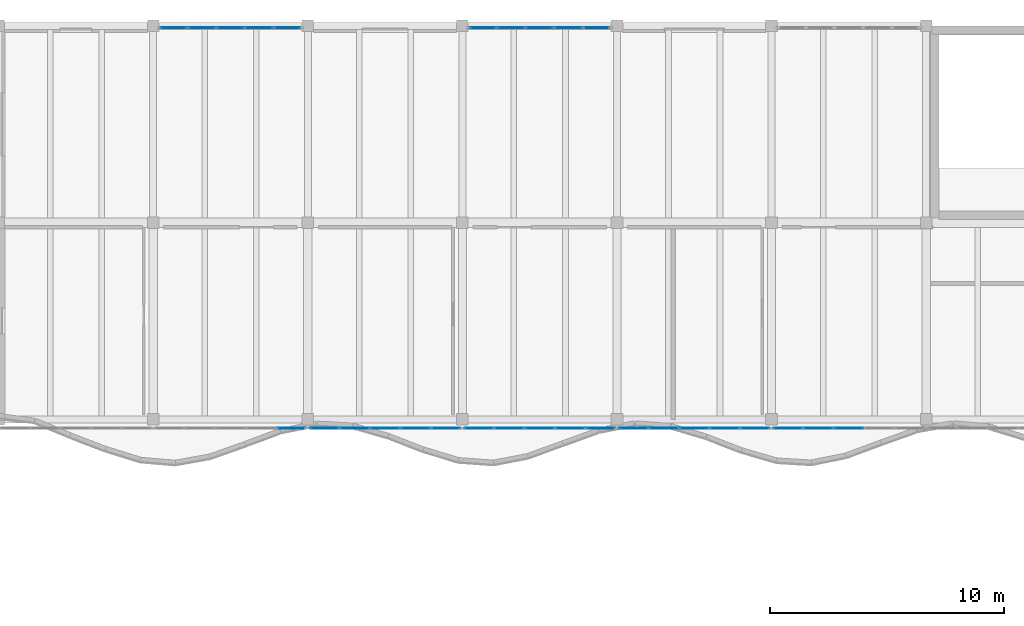
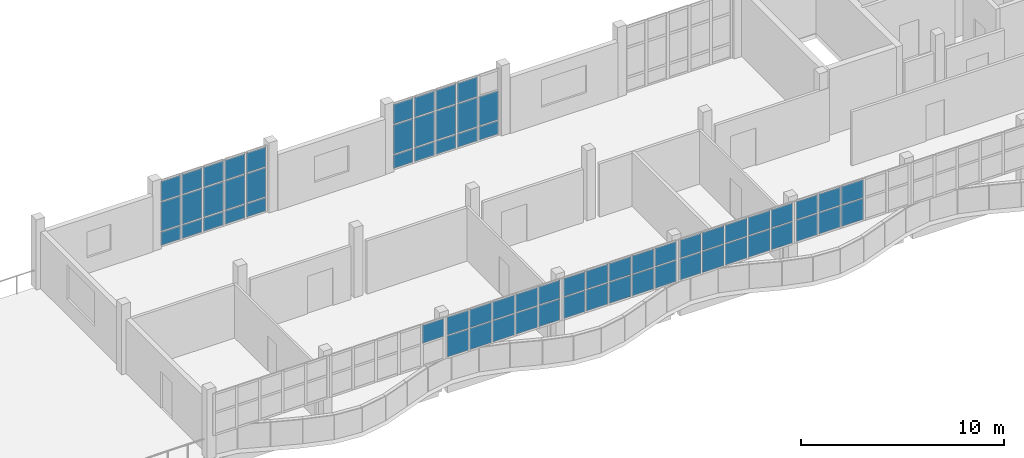
# One storey, part 28 of 47: 66 plates, 7 elements without a shape of their own.
"""IFC4 building model written with IfcOpenShell, lengths in metres."""

from ifc_helpers import new_model, si_unit, direction, frame, origin, origin_2d, place, context, subcontext, project, spatial, rectangle, extrude, material, layer, layer_set, type_object, element, aggregate, save


model = new_model("IFC4")

# Units and contexts
model_context = context("Model", 3, precision=1e-05, world=origin(), true_north=direction((0.0, 1.0)))
body_context = subcontext(model_context, "Body", "Model", "MODEL_VIEW")
ifc_project = project(units=[si_unit("LENGTHUNIT", "METRE"), si_unit("AREAUNIT", "SQUARE_METRE"), si_unit("VOLUMEUNIT", "CUBIC_METRE"), si_unit("PLANEANGLEUNIT", "RADIAN"), si_unit("MASSUNIT", "GRAM", prefix="KILO")], contexts=[model_context])

# Site, building, storey
site_placement = place(None, origin())
site = spatial("IfcSite", under=ifc_project, at=site_placement, CompositionType="ELEMENT")
building_placement = place(site_placement, origin())
building = spatial("IfcBuilding", under=site, at=building_placement, Name="Qaldarim Faculty of Natural and Applied Sciences", CompositionType="ELEMENT")
storey_placement = place(building_placement, frame((0.0, 0.0, 22.800048828125)))
storey = spatial("IfcBuildingStorey", under=building, at=storey_placement, Name="L05", CompositionType="ELEMENT", Elevation=22.800048828125)

# Curtain wall, plates
ifc_material_1 = material(Name="Anodised aluminium AW-6063", Category="aluminium")
curtain_wall_type_1 = type_object("IfcCurtainWallType", Name="CurtainWallSystem-M1200", PredefinedType="USERDEFINED", material=ifc_material_1)
curtain_wall_1_placement = place(storey_placement, origin())
curtain_wall_1 = element("IfcCurtainWall", 1, at=curtain_wall_1_placement, inside=storey, type_object=curtain_wall_type_1, Name="Curtain wall CW-L05-N-X11Y14", ObjectType="STICK CURTAIN WALL", PredefinedType="USERDEFINED")
ifc_material_2 = material(Name="Insulated low-e double glazing", Category="glass")
ifc_layer_1 = layer(ifc_material_2, 0.031982421875)
ifc_layer_set_1 = layer_set([ifc_layer_1], Name="Insulated low-e double glazing")
plate_type_1 = type_object("IfcPlateType", Name="SolarControlGlazingPanel-32", PredefinedType="CURTAIN_PANEL", material=ifc_layer_set_1)
plate_1_placement = place(storey_placement, frame((71.7265625, 117.52001953125, 0.070068359375), z_axis=(0.0, 0.0, 1.0), x_axis=(-1.0, 0.0, 0.0)))
plate_1 = element("IfcPlate", 2, at=plate_1_placement, type_object=plate_type_1, Name="Glazed panel 1-1 of CW-L05-N-X11Y14", PredefinedType="CURTAIN_PANEL", context=body_context, shape_type="SweptSolid", body=[
    extrude(rectangle(XDim=1.116943359375, YDim=0.031982421875, at=origin_2d()), origin(), (0.0, 0.0, 1.0), 0.794921875),
])
plate_2_placement = place(storey_placement, frame((71.7265625, 117.52001953125, 0.93505859375), z_axis=(0.0, 0.0, 1.0), x_axis=(-1.0, 0.0, 0.0)))
plate_2 = element("IfcPlate", 3, at=plate_2_placement, type_object=plate_type_1, Name="Glazed panel 1-2 of CW-L05-N-X11Y14", PredefinedType="CURTAIN_PANEL", context=body_context, shape_type="SweptSolid", body=[
    extrude(rectangle(XDim=1.116943359375, YDim=0.031982421875, at=origin_2d()), origin(), (0.0, 0.0, 1.0), 1.72998046875),
])
plate_3_placement = place(storey_placement, frame((71.7265625, 117.52001953125, 2.73486328125), z_axis=(0.0, 0.0, 1.0), x_axis=(-1.0, 0.0, 0.0)))
plate_3 = element("IfcPlate", 4, at=plate_3_placement, type_object=plate_type_1, Name="Glazed panel 1-3 of CW-L05-N-X11Y14", PredefinedType="CURTAIN_PANEL", context=body_context, shape_type="SweptSolid", body=[
    extrude(rectangle(XDim=1.116943359375, YDim=0.031982421875, at=origin_2d()), origin(), (0.0, 0.0, 1.0), 1.175048828125),
])
plate_4_placement = place(storey_placement, frame((70.52197265625, 117.52001953125, 0.070068359375), z_axis=(0.0, 0.0, 1.0), x_axis=(-1.0, 0.0, 0.0)))
plate_4 = element("IfcPlate", 5, at=plate_4_placement, type_object=plate_type_1, Name="Glazed panel 2-1 of CW-L05-N-X11Y14", PredefinedType="CURTAIN_PANEL", context=body_context, shape_type="SweptSolid", body=[
    extrude(rectangle(XDim=1.152099609375, YDim=0.031982421875, at=origin_2d()), origin(), (0.0, 0.0, 1.0), 0.794921875),
])
plate_5_placement = place(storey_placement, frame((70.52197265625, 117.52001953125, 0.93505859375), z_axis=(0.0, 0.0, 1.0), x_axis=(-1.0, 0.0, 0.0)))
plate_5 = element("IfcPlate", 6, at=plate_5_placement, type_object=plate_type_1, Name="Glazed panel 2-2 of CW-L05-N-X11Y14", PredefinedType="CURTAIN_PANEL", context=body_context, shape_type="SweptSolid", body=[
    extrude(rectangle(XDim=1.152099609375, YDim=0.031982421875, at=origin_2d()), origin(), (0.0, 0.0, 1.0), 1.72998046875),
])
plate_6_placement = place(storey_placement, frame((70.52197265625, 117.52001953125, 2.73486328125), z_axis=(0.0, 0.0, 1.0), x_axis=(-1.0, 0.0, 0.0)))
plate_6 = element("IfcPlate", 7, at=plate_6_placement, type_object=plate_type_1, Name="Glazed panel 2-3 of CW-L05-N-X11Y14", PredefinedType="CURTAIN_PANEL", context=body_context, shape_type="SweptSolid", body=[
    extrude(rectangle(XDim=1.152099609375, YDim=0.031982421875, at=origin_2d()), origin(), (0.0, 0.0, 1.0), 1.175048828125),
])
plate_7_placement = place(storey_placement, frame((69.300048828125, 117.52001953125, 0.070068359375), z_axis=(0.0, 0.0, 1.0), x_axis=(-1.0, 0.0, 0.0)))
plate_7 = element("IfcPlate", 8, at=plate_7_placement, type_object=plate_type_1, Name="Glazed panel 3-1 of CW-L05-N-X11Y14", PredefinedType="CURTAIN_PANEL", context=body_context, shape_type="SweptSolid", body=[
    extrude(rectangle(XDim=1.152099609375, YDim=0.031982421875, at=origin_2d()), origin(), (0.0, 0.0, 1.0), 0.794921875),
])
plate_8_placement = place(storey_placement, frame((69.300048828125, 117.52001953125, 0.93505859375), z_axis=(0.0, 0.0, 1.0), x_axis=(-1.0, 0.0, 0.0)))
plate_8 = element("IfcPlate", 9, at=plate_8_placement, type_object=plate_type_1, Name="Glazed panel 3-2 of CW-L05-N-X11Y14", PredefinedType="CURTAIN_PANEL", context=body_context, shape_type="SweptSolid", body=[
    extrude(rectangle(XDim=1.152099609375, YDim=0.031982421875, at=origin_2d()), origin(), (0.0, 0.0, 1.0), 1.72998046875),
])
plate_9_placement = place(storey_placement, frame((69.300048828125, 117.52001953125, 2.73486328125), z_axis=(0.0, 0.0, 1.0), x_axis=(-1.0, 0.0, 0.0)))
plate_9 = element("IfcPlate", 10, at=plate_9_placement, type_object=plate_type_1, Name="Glazed panel 3-3 of CW-L05-N-X11Y14", PredefinedType="CURTAIN_PANEL", context=body_context, shape_type="SweptSolid", body=[
    extrude(rectangle(XDim=1.152099609375, YDim=0.031982421875, at=origin_2d()), origin(), (0.0, 0.0, 1.0), 1.175048828125),
])
plate_10_placement = place(storey_placement, frame((68.077880859375, 117.52001953125, 0.070068359375), z_axis=(0.0, 0.0, 1.0), x_axis=(-1.0, 0.0, 0.0)))
plate_10 = element("IfcPlate", 11, at=plate_10_placement, type_object=plate_type_1, Name="Glazed panel 4-1 of CW-L05-N-X11Y14", PredefinedType="CURTAIN_PANEL", context=body_context, shape_type="SweptSolid", body=[
    extrude(rectangle(XDim=1.152099609375, YDim=0.031982421875, at=origin_2d()), origin(), (0.0, 0.0, 1.0), 0.794921875),
])
plate_11_placement = place(storey_placement, frame((68.077880859375, 117.52001953125, 0.93505859375), z_axis=(0.0, 0.0, 1.0), x_axis=(-1.0, 0.0, 0.0)))
plate_11 = element("IfcPlate", 12, at=plate_11_placement, type_object=plate_type_1, Name="Glazed panel 4-2 of CW-L05-N-X11Y14", PredefinedType="CURTAIN_PANEL", context=body_context, shape_type="SweptSolid", body=[
    extrude(rectangle(XDim=1.152099609375, YDim=0.031982421875, at=origin_2d()), origin(), (0.0, 0.0, 1.0), 1.72998046875),
])
plate_12_placement = place(storey_placement, frame((68.077880859375, 117.52001953125, 2.73486328125), z_axis=(0.0, 0.0, 1.0), x_axis=(-1.0, 0.0, 0.0)))
plate_12 = element("IfcPlate", 13, at=plate_12_placement, type_object=plate_type_1, Name="Glazed panel 4-3 of CW-L05-N-X11Y14", PredefinedType="CURTAIN_PANEL", context=body_context, shape_type="SweptSolid", body=[
    extrude(rectangle(XDim=1.152099609375, YDim=0.031982421875, at=origin_2d()), origin(), (0.0, 0.0, 1.0), 1.175048828125),
])
plate_13_placement = place(storey_placement, frame((66.87353515625, 117.52001953125, 0.070068359375), z_axis=(0.0, 0.0, 1.0), x_axis=(-1.0, 0.0, 0.0)))
plate_13 = element("IfcPlate", 14, at=plate_13_placement, type_object=plate_type_1, Name="Glazed panel 5-1 of CW-L05-N-X11Y14", PredefinedType="CURTAIN_PANEL", context=body_context, shape_type="SweptSolid", body=[
    extrude(rectangle(XDim=1.116943359375, YDim=0.031982421875, at=origin_2d()), origin(), (0.0, 0.0, 1.0), 0.794921875),
])
plate_14_placement = place(storey_placement, frame((66.87353515625, 117.52001953125, 0.93505859375), z_axis=(0.0, 0.0, 1.0), x_axis=(-1.0, 0.0, 0.0)))
plate_14 = element("IfcPlate", 15, at=plate_14_placement, type_object=plate_type_1, Name="Glazed panel 5-2 of CW-L05-N-X11Y14", PredefinedType="CURTAIN_PANEL", context=body_context, shape_type="SweptSolid", body=[
    extrude(rectangle(XDim=1.116943359375, YDim=0.031982421875, at=origin_2d()), origin(), (0.0, 0.0, 1.0), 1.72998046875),
])
plate_15_placement = place(storey_placement, frame((66.87353515625, 117.52001953125, 2.73486328125), z_axis=(0.0, 0.0, 1.0), x_axis=(-1.0, 0.0, 0.0)))
plate_15 = element("IfcPlate", 16, at=plate_15_placement, type_object=plate_type_1, Name="Glazed panel 5-3 of CW-L05-N-X11Y14", PredefinedType="CURTAIN_PANEL", context=body_context, shape_type="SweptSolid", body=[
    extrude(rectangle(XDim=1.116943359375, YDim=0.031982421875, at=origin_2d()), origin(), (0.0, 0.0, 1.0), 1.175048828125),
])
aggregate(curtain_wall_1, [plate_1, plate_2, plate_3, plate_4, plate_5, plate_6, plate_7, plate_8, plate_9, plate_10, plate_11, plate_12, plate_13, plate_14, plate_15])

curtain_wall_2_placement = place(storey_placement, origin())
curtain_wall_2 = element("IfcCurtainWall", 17, at=curtain_wall_2_placement, inside=storey, type_object=curtain_wall_type_1, Name="Curtain wall CW-L05-N-X13Y14", ObjectType="STICK CURTAIN WALL", PredefinedType="USERDEFINED")
plate_16_placement = place(storey_placement, frame((84.926513671875, 117.52001953125, 0.070068359375), z_axis=(0.0, 0.0, 1.0), x_axis=(-1.0, 0.0, 0.0)))
plate_16 = element("IfcPlate", 18, at=plate_16_placement, type_object=plate_type_1, Name="Glazed panel 1-1 of CW-L05-N-X13Y14", PredefinedType="CURTAIN_PANEL", context=body_context, shape_type="SweptSolid", body=[
    extrude(rectangle(XDim=1.116943359375, YDim=0.031982421875, at=origin_2d()), origin(), (0.0, 0.0, 1.0), 0.794921875),
])
plate_17_placement = place(storey_placement, frame((84.926513671875, 117.52001953125, 0.93505859375), z_axis=(0.0, 0.0, 1.0), x_axis=(-1.0, 0.0, 0.0)))
plate_17 = element("IfcPlate", 19, at=plate_17_placement, type_object=plate_type_1, Name="Glazed panel 1-2 of CW-L05-N-X13Y14", PredefinedType="CURTAIN_PANEL", context=body_context, shape_type="SweptSolid", body=[
    extrude(rectangle(XDim=1.116943359375, YDim=0.031982421875, at=origin_2d()), origin(), (0.0, 0.0, 1.0), 1.72998046875),
])
plate_18_placement = place(storey_placement, frame((83.721923828125, 117.52001953125, 0.070068359375), z_axis=(0.0, 0.0, 1.0), x_axis=(-1.0, 0.0, 0.0)))
plate_18 = element("IfcPlate", 20, at=plate_18_placement, type_object=plate_type_1, Name="Glazed panel 2-1 of CW-L05-N-X13Y14", PredefinedType="CURTAIN_PANEL", context=body_context, shape_type="SweptSolid", body=[
    extrude(rectangle(XDim=1.152099609375, YDim=0.031982421875, at=origin_2d()), origin(), (0.0, 0.0, 1.0), 0.794921875),
])
plate_19_placement = place(storey_placement, frame((83.721923828125, 117.52001953125, 0.93505859375), z_axis=(0.0, 0.0, 1.0), x_axis=(-1.0, 0.0, 0.0)))
plate_19 = element("IfcPlate", 21, at=plate_19_placement, type_object=plate_type_1, Name="Glazed panel 2-2 of CW-L05-N-X13Y14", PredefinedType="CURTAIN_PANEL", context=body_context, shape_type="SweptSolid", body=[
    extrude(rectangle(XDim=1.152099609375, YDim=0.031982421875, at=origin_2d()), origin(), (0.0, 0.0, 1.0), 1.72998046875),
])
plate_20_placement = place(storey_placement, frame((83.721923828125, 117.52001953125, 2.73486328125), z_axis=(0.0, 0.0, 1.0), x_axis=(-1.0, 0.0, 0.0)))
plate_20 = element("IfcPlate", 22, at=plate_20_placement, type_object=plate_type_1, Name="Glazed panel 2-3 of CW-L05-N-X13Y14", PredefinedType="CURTAIN_PANEL", context=body_context, shape_type="SweptSolid", body=[
    extrude(rectangle(XDim=1.152099609375, YDim=0.031982421875, at=origin_2d()), origin(), (0.0, 0.0, 1.0), 1.175048828125),
])
plate_21_placement = place(storey_placement, frame((82.5, 117.52001953125, 0.070068359375), z_axis=(0.0, 0.0, 1.0), x_axis=(-1.0, 0.0, 0.0)))
plate_21 = element("IfcPlate", 23, at=plate_21_placement, type_object=plate_type_1, Name="Glazed panel 3-1 of CW-L05-N-X13Y14", PredefinedType="CURTAIN_PANEL", context=body_context, shape_type="SweptSolid", body=[
    extrude(rectangle(XDim=1.152099609375, YDim=0.031982421875, at=origin_2d()), origin(), (0.0, 0.0, 1.0), 0.794921875),
])
plate_22_placement = place(storey_placement, frame((82.5, 117.52001953125, 0.93505859375), z_axis=(0.0, 0.0, 1.0), x_axis=(-1.0, 0.0, 0.0)))
plate_22 = element("IfcPlate", 24, at=plate_22_placement, type_object=plate_type_1, Name="Glazed panel 3-2 of CW-L05-N-X13Y14", PredefinedType="CURTAIN_PANEL", context=body_context, shape_type="SweptSolid", body=[
    extrude(rectangle(XDim=1.152099609375, YDim=0.031982421875, at=origin_2d()), origin(), (0.0, 0.0, 1.0), 1.72998046875),
])
plate_23_placement = place(storey_placement, frame((82.5, 117.52001953125, 2.73486328125), z_axis=(0.0, 0.0, 1.0), x_axis=(-1.0, 0.0, 0.0)))
plate_23 = element("IfcPlate", 25, at=plate_23_placement, type_object=plate_type_1, Name="Glazed panel 3-3 of CW-L05-N-X13Y14", PredefinedType="CURTAIN_PANEL", context=body_context, shape_type="SweptSolid", body=[
    extrude(rectangle(XDim=1.152099609375, YDim=0.031982421875, at=origin_2d()), origin(), (0.0, 0.0, 1.0), 1.175048828125),
])
plate_24_placement = place(storey_placement, frame((81.278076171875, 117.52001953125, 0.070068359375), z_axis=(0.0, 0.0, 1.0), x_axis=(-1.0, 0.0, 0.0)))
plate_24 = element("IfcPlate", 26, at=plate_24_placement, type_object=plate_type_1, Name="Glazed panel 4-1 of CW-L05-N-X13Y14", PredefinedType="CURTAIN_PANEL", context=body_context, shape_type="SweptSolid", body=[
    extrude(rectangle(XDim=1.152099609375, YDim=0.031982421875, at=origin_2d()), origin(), (0.0, 0.0, 1.0), 0.794921875),
])
plate_25_placement = place(storey_placement, frame((81.278076171875, 117.52001953125, 0.93505859375), z_axis=(0.0, 0.0, 1.0), x_axis=(-1.0, 0.0, 0.0)))
plate_25 = element("IfcPlate", 27, at=plate_25_placement, type_object=plate_type_1, Name="Glazed panel 4-2 of CW-L05-N-X13Y14", PredefinedType="CURTAIN_PANEL", context=body_context, shape_type="SweptSolid", body=[
    extrude(rectangle(XDim=1.152099609375, YDim=0.031982421875, at=origin_2d()), origin(), (0.0, 0.0, 1.0), 1.72998046875),
])
plate_26_placement = place(storey_placement, frame((81.278076171875, 117.52001953125, 2.73486328125), z_axis=(0.0, 0.0, 1.0), x_axis=(-1.0, 0.0, 0.0)))
plate_26 = element("IfcPlate", 28, at=plate_26_placement, type_object=plate_type_1, Name="Glazed panel 4-3 of CW-L05-N-X13Y14", PredefinedType="CURTAIN_PANEL", context=body_context, shape_type="SweptSolid", body=[
    extrude(rectangle(XDim=1.152099609375, YDim=0.031982421875, at=origin_2d()), origin(), (0.0, 0.0, 1.0), 1.175048828125),
])
plate_27_placement = place(storey_placement, frame((80.073486328125, 117.52001953125, 0.070068359375), z_axis=(0.0, 0.0, 1.0), x_axis=(-1.0, 0.0, 0.0)))
plate_27 = element("IfcPlate", 29, at=plate_27_placement, type_object=plate_type_1, Name="Glazed panel 5-1 of CW-L05-N-X13Y14", PredefinedType="CURTAIN_PANEL", context=body_context, shape_type="SweptSolid", body=[
    extrude(rectangle(XDim=1.116943359375, YDim=0.031982421875, at=origin_2d()), origin(), (0.0, 0.0, 1.0), 0.794921875),
])
plate_28_placement = place(storey_placement, frame((80.073486328125, 117.52001953125, 0.93505859375), z_axis=(0.0, 0.0, 1.0), x_axis=(-1.0, 0.0, 0.0)))
plate_28 = element("IfcPlate", 30, at=plate_28_placement, type_object=plate_type_1, Name="Glazed panel 5-2 of CW-L05-N-X13Y14", PredefinedType="CURTAIN_PANEL", context=body_context, shape_type="SweptSolid", body=[
    extrude(rectangle(XDim=1.116943359375, YDim=0.031982421875, at=origin_2d()), origin(), (0.0, 0.0, 1.0), 1.72998046875),
])
plate_29_placement = place(storey_placement, frame((80.073486328125, 117.52001953125, 2.73486328125), z_axis=(0.0, 0.0, 1.0), x_axis=(-1.0, 0.0, 0.0)))
plate_29 = element("IfcPlate", 31, at=plate_29_placement, type_object=plate_type_1, Name="Glazed panel 5-3 of CW-L05-N-X13Y14", PredefinedType="CURTAIN_PANEL", context=body_context, shape_type="SweptSolid", body=[
    extrude(rectangle(XDim=1.116943359375, YDim=0.031982421875, at=origin_2d()), origin(), (0.0, 0.0, 1.0), 1.175048828125),
])
aggregate(curtain_wall_2, [plate_16, plate_17, plate_18, plate_19, plate_20, plate_21, plate_22, plate_23, plate_24, plate_25, plate_26, plate_27, plate_28, plate_29])

# Curtain wall, plate
curtain_wall_type_2 = type_object("IfcCurtainWallType", Name="CurtainWallSystem-M1400", PredefinedType="USERDEFINED", material=ifc_material_1)
curtain_wall_3_placement = place(storey_placement, origin())
curtain_wall_3 = element("IfcCurtainWall", 32, at=curtain_wall_3_placement, inside=storey, type_object=curtain_wall_type_2, Name="Curtain wall CW-V4RIB-L05-X11", ObjectType="STICK CURTAIN WALL", PredefinedType="USERDEFINED")
ifc_layer_2 = layer(ifc_material_2, 0.028076171875)
ifc_layer_set_2 = layer_set([ifc_layer_2], Name="Insulated low-e double glazing")
plate_type_2 = type_object("IfcPlateType", Name="VisionGlazingPanel-28", PredefinedType="CURTAIN_PANEL", material=ifc_layer_set_2)
plate_30_placement = place(storey_placement, frame((71.89306640625, 100.419921875, 2.830078125), z_axis=(0.0, 0.0, 1.0), x_axis=(1.0, 0.0, 0.0)))
plate_30 = element("IfcPlate", 33, at=plate_30_placement, type_object=plate_type_2, Name="Glazed panel 5-2 of CW-V4RIB-L05-X11", PredefinedType="CURTAIN_PANEL", context=body_context, shape_type="SweptSolid", body=[
    extrude(rectangle(XDim=1.214111328125, YDim=0.028076171875, at=origin_2d()), origin(), (0.0, 0.0, 1.0), 1.070068359375),
])
aggregate(curtain_wall_3, [plate_30])

# Curtain wall, plates
curtain_wall_4_placement = place(storey_placement, origin())
curtain_wall_4 = element("IfcCurtainWall", 34, at=curtain_wall_4_placement, inside=storey, type_object=curtain_wall_type_2, Name="Curtain wall CW-V4RIB-L05-X12", ObjectType="STICK CURTAIN WALL", PredefinedType="USERDEFINED")
plate_31_placement = place(storey_placement, frame((73.306884765625, 100.419921875, 1.509765625), z_axis=(0.0, 0.0, 1.0), x_axis=(1.0, 0.0, 0.0)))
plate_31 = element("IfcPlate", 35, at=plate_31_placement, type_object=plate_type_2, Name="Glazed panel 1-1 of CW-V4RIB-L05-X12", PredefinedType="CURTAIN_PANEL", context=body_context, shape_type="SweptSolid", body=[
    extrude(rectangle(XDim=1.214111328125, YDim=0.028076171875, at=origin_2d()), origin(), (0.0, 0.0, 1.0), 1.260009765625),
])
plate_32_placement = place(storey_placement, frame((73.306884765625, 100.419921875, 2.830078125), z_axis=(0.0, 0.0, 1.0), x_axis=(1.0, 0.0, 0.0)))
plate_32 = element("IfcPlate", 36, at=plate_32_placement, type_object=plate_type_2, Name="Glazed panel 1-2 of CW-V4RIB-L05-X12", PredefinedType="CURTAIN_PANEL", context=body_context, shape_type="SweptSolid", body=[
    extrude(rectangle(XDim=1.214111328125, YDim=0.028076171875, at=origin_2d()), origin(), (0.0, 0.0, 1.0), 1.070068359375),
])
plate_33_placement = place(storey_placement, frame((74.595947265625, 100.419921875, 1.509765625), z_axis=(0.0, 0.0, 1.0), x_axis=(1.0, 0.0, 0.0)))
plate_33 = element("IfcPlate", 37, at=plate_33_placement, type_object=plate_type_2, Name="Glazed panel 2-1 of CW-V4RIB-L05-X12", PredefinedType="CURTAIN_PANEL", context=body_context, shape_type="SweptSolid", body=[
    extrude(rectangle(XDim=1.243896484375, YDim=0.028076171875, at=origin_2d()), origin(), (0.0, 0.0, 1.0), 1.260009765625),
])
plate_34_placement = place(storey_placement, frame((74.595947265625, 100.419921875, 2.830078125), z_axis=(0.0, 0.0, 1.0), x_axis=(1.0, 0.0, 0.0)))
plate_34 = element("IfcPlate", 38, at=plate_34_placement, type_object=plate_type_2, Name="Glazed panel 2-2 of CW-V4RIB-L05-X12", PredefinedType="CURTAIN_PANEL", context=body_context, shape_type="SweptSolid", body=[
    extrude(rectangle(XDim=1.243896484375, YDim=0.028076171875, at=origin_2d()), origin(), (0.0, 0.0, 1.0), 1.070068359375),
])
plate_35_placement = place(storey_placement, frame((75.89990234375, 100.419921875, 1.509765625), z_axis=(0.0, 0.0, 1.0), x_axis=(1.0, 0.0, 0.0)))
plate_35 = element("IfcPlate", 39, at=plate_35_placement, type_object=plate_type_2, Name="Glazed panel 3-1 of CW-V4RIB-L05-X12", PredefinedType="CURTAIN_PANEL", context=body_context, shape_type="SweptSolid", body=[
    extrude(rectangle(XDim=1.243896484375, YDim=0.028076171875, at=origin_2d()), origin(), (0.0, 0.0, 1.0), 1.260009765625),
])
plate_36_placement = place(storey_placement, frame((75.89990234375, 100.419921875, 2.830078125), z_axis=(0.0, 0.0, 1.0), x_axis=(1.0, 0.0, 0.0)))
plate_36 = element("IfcPlate", 40, at=plate_36_placement, type_object=plate_type_2, Name="Glazed panel 3-2 of CW-V4RIB-L05-X12", PredefinedType="CURTAIN_PANEL", context=body_context, shape_type="SweptSolid", body=[
    extrude(rectangle(XDim=1.243896484375, YDim=0.028076171875, at=origin_2d()), origin(), (0.0, 0.0, 1.0), 1.070068359375),
])
plate_37_placement = place(storey_placement, frame((77.2041015625, 100.419921875, 1.509765625), z_axis=(0.0, 0.0, 1.0), x_axis=(1.0, 0.0, 0.0)))
plate_37 = element("IfcPlate", 41, at=plate_37_placement, type_object=plate_type_2, Name="Glazed panel 4-1 of CW-V4RIB-L05-X12", PredefinedType="CURTAIN_PANEL", context=body_context, shape_type="SweptSolid", body=[
    extrude(rectangle(XDim=1.243896484375, YDim=0.028076171875, at=origin_2d()), origin(), (0.0, 0.0, 1.0), 1.260009765625),
])
plate_38_placement = place(storey_placement, frame((77.2041015625, 100.419921875, 2.830078125), z_axis=(0.0, 0.0, 1.0), x_axis=(1.0, 0.0, 0.0)))
plate_38 = element("IfcPlate", 42, at=plate_38_placement, type_object=plate_type_2, Name="Glazed panel 4-2 of CW-V4RIB-L05-X12", PredefinedType="CURTAIN_PANEL", context=body_context, shape_type="SweptSolid", body=[
    extrude(rectangle(XDim=1.243896484375, YDim=0.028076171875, at=origin_2d()), origin(), (0.0, 0.0, 1.0), 1.070068359375),
])
plate_39_placement = place(storey_placement, frame((78.492919921875, 100.419921875, 1.509765625), z_axis=(0.0, 0.0, 1.0), x_axis=(1.0, 0.0, 0.0)))
plate_39 = element("IfcPlate", 43, at=plate_39_placement, type_object=plate_type_2, Name="Glazed panel 5-1 of CW-V4RIB-L05-X12", PredefinedType="CURTAIN_PANEL", context=body_context, shape_type="SweptSolid", body=[
    extrude(rectangle(XDim=1.214111328125, YDim=0.028076171875, at=origin_2d()), origin(), (0.0, 0.0, 1.0), 1.260009765625),
])
plate_40_placement = place(storey_placement, frame((78.492919921875, 100.419921875, 2.830078125), z_axis=(0.0, 0.0, 1.0), x_axis=(1.0, 0.0, 0.0)))
plate_40 = element("IfcPlate", 44, at=plate_40_placement, type_object=plate_type_2, Name="Glazed panel 5-2 of CW-V4RIB-L05-X12", PredefinedType="CURTAIN_PANEL", context=body_context, shape_type="SweptSolid", body=[
    extrude(rectangle(XDim=1.214111328125, YDim=0.028076171875, at=origin_2d()), origin(), (0.0, 0.0, 1.0), 1.070068359375),
])
aggregate(curtain_wall_4, [plate_31, plate_32, plate_33, plate_34, plate_35, plate_36, plate_37, plate_38, plate_39, plate_40])

curtain_wall_5_placement = place(storey_placement, origin())
curtain_wall_5 = element("IfcCurtainWall", 45, at=curtain_wall_5_placement, inside=storey, type_object=curtain_wall_type_2, Name="Curtain wall CW-V4RIB-L05-X13", ObjectType="STICK CURTAIN WALL", PredefinedType="USERDEFINED")
plate_41_placement = place(storey_placement, frame((79.906982421875, 100.419921875, 1.509765625), z_axis=(0.0, 0.0, 1.0), x_axis=(1.0, 0.0, 0.0)))
plate_41 = element("IfcPlate", 46, at=plate_41_placement, type_object=plate_type_2, Name="Glazed panel 1-1 of CW-V4RIB-L05-X13", PredefinedType="CURTAIN_PANEL", context=body_context, shape_type="SweptSolid", body=[
    extrude(rectangle(XDim=1.214111328125, YDim=0.028076171875, at=origin_2d()), origin(), (0.0, 0.0, 1.0), 1.260009765625),
])
plate_42_placement = place(storey_placement, frame((79.906982421875, 100.419921875, 2.830078125), z_axis=(0.0, 0.0, 1.0), x_axis=(1.0, 0.0, 0.0)))
plate_42 = element("IfcPlate", 47, at=plate_42_placement, type_object=plate_type_2, Name="Glazed panel 1-2 of CW-V4RIB-L05-X13", PredefinedType="CURTAIN_PANEL", context=body_context, shape_type="SweptSolid", body=[
    extrude(rectangle(XDim=1.214111328125, YDim=0.028076171875, at=origin_2d()), origin(), (0.0, 0.0, 1.0), 1.070068359375),
])
plate_43_placement = place(storey_placement, frame((81.196044921875, 100.419921875, 1.509765625), z_axis=(0.0, 0.0, 1.0), x_axis=(1.0, 0.0, 0.0)))
plate_43 = element("IfcPlate", 48, at=plate_43_placement, type_object=plate_type_2, Name="Glazed panel 2-1 of CW-V4RIB-L05-X13", PredefinedType="CURTAIN_PANEL", context=body_context, shape_type="SweptSolid", body=[
    extrude(rectangle(XDim=1.243896484375, YDim=0.028076171875, at=origin_2d()), origin(), (0.0, 0.0, 1.0), 1.260009765625),
])
plate_44_placement = place(storey_placement, frame((81.196044921875, 100.419921875, 2.830078125), z_axis=(0.0, 0.0, 1.0), x_axis=(1.0, 0.0, 0.0)))
plate_44 = element("IfcPlate", 49, at=plate_44_placement, type_object=plate_type_2, Name="Glazed panel 2-2 of CW-V4RIB-L05-X13", PredefinedType="CURTAIN_PANEL", context=body_context, shape_type="SweptSolid", body=[
    extrude(rectangle(XDim=1.243896484375, YDim=0.028076171875, at=origin_2d()), origin(), (0.0, 0.0, 1.0), 1.070068359375),
])
plate_45_placement = place(storey_placement, frame((82.5, 100.419921875, 1.509765625), z_axis=(0.0, 0.0, 1.0), x_axis=(1.0, 0.0, 0.0)))
plate_45 = element("IfcPlate", 50, at=plate_45_placement, type_object=plate_type_2, Name="Glazed panel 3-1 of CW-V4RIB-L05-X13", PredefinedType="CURTAIN_PANEL", context=body_context, shape_type="SweptSolid", body=[
    extrude(rectangle(XDim=1.243896484375, YDim=0.028076171875, at=origin_2d()), origin(), (0.0, 0.0, 1.0), 1.260009765625),
])
plate_46_placement = place(storey_placement, frame((82.5, 100.419921875, 2.830078125), z_axis=(0.0, 0.0, 1.0), x_axis=(1.0, 0.0, 0.0)))
plate_46 = element("IfcPlate", 51, at=plate_46_placement, type_object=plate_type_2, Name="Glazed panel 3-2 of CW-V4RIB-L05-X13", PredefinedType="CURTAIN_PANEL", context=body_context, shape_type="SweptSolid", body=[
    extrude(rectangle(XDim=1.243896484375, YDim=0.028076171875, at=origin_2d()), origin(), (0.0, 0.0, 1.0), 1.070068359375),
])
plate_47_placement = place(storey_placement, frame((83.803955078125, 100.419921875, 1.509765625), z_axis=(0.0, 0.0, 1.0), x_axis=(1.0, 0.0, 0.0)))
plate_47 = element("IfcPlate", 52, at=plate_47_placement, type_object=plate_type_2, Name="Glazed panel 4-1 of CW-V4RIB-L05-X13", PredefinedType="CURTAIN_PANEL", context=body_context, shape_type="SweptSolid", body=[
    extrude(rectangle(XDim=1.243896484375, YDim=0.028076171875, at=origin_2d()), origin(), (0.0, 0.0, 1.0), 1.260009765625),
])
plate_48_placement = place(storey_placement, frame((83.803955078125, 100.419921875, 2.830078125), z_axis=(0.0, 0.0, 1.0), x_axis=(1.0, 0.0, 0.0)))
plate_48 = element("IfcPlate", 53, at=plate_48_placement, type_object=plate_type_2, Name="Glazed panel 4-2 of CW-V4RIB-L05-X13", PredefinedType="CURTAIN_PANEL", context=body_context, shape_type="SweptSolid", body=[
    extrude(rectangle(XDim=1.243896484375, YDim=0.028076171875, at=origin_2d()), origin(), (0.0, 0.0, 1.0), 1.070068359375),
])
plate_49_placement = place(storey_placement, frame((85.093017578125, 100.419921875, 1.509765625), z_axis=(0.0, 0.0, 1.0), x_axis=(1.0, 0.0, 0.0)))
plate_49 = element("IfcPlate", 54, at=plate_49_placement, type_object=plate_type_2, Name="Glazed panel 5-1 of CW-V4RIB-L05-X13", PredefinedType="CURTAIN_PANEL", context=body_context, shape_type="SweptSolid", body=[
    extrude(rectangle(XDim=1.214111328125, YDim=0.028076171875, at=origin_2d()), origin(), (0.0, 0.0, 1.0), 1.260009765625),
])
plate_50_placement = place(storey_placement, frame((85.093017578125, 100.419921875, 2.830078125), z_axis=(0.0, 0.0, 1.0), x_axis=(1.0, 0.0, 0.0)))
plate_50 = element("IfcPlate", 55, at=plate_50_placement, type_object=plate_type_2, Name="Glazed panel 5-2 of CW-V4RIB-L05-X13", PredefinedType="CURTAIN_PANEL", context=body_context, shape_type="SweptSolid", body=[
    extrude(rectangle(XDim=1.214111328125, YDim=0.028076171875, at=origin_2d()), origin(), (0.0, 0.0, 1.0), 1.070068359375),
])
aggregate(curtain_wall_5, [plate_41, plate_42, plate_43, plate_44, plate_45, plate_46, plate_47, plate_48, plate_49, plate_50])

curtain_wall_6_placement = place(storey_placement, origin())
curtain_wall_6 = element("IfcCurtainWall", 56, at=curtain_wall_6_placement, inside=storey, type_object=curtain_wall_type_2, Name="Curtain wall CW-V4RIB-L05-X14", ObjectType="STICK CURTAIN WALL", PredefinedType="USERDEFINED")
plate_51_placement = place(storey_placement, frame((86.507080078125, 100.419921875, 1.509765625), z_axis=(0.0, 0.0, 1.0), x_axis=(1.0, 0.0, 0.0)))
plate_51 = element("IfcPlate", 57, at=plate_51_placement, type_object=plate_type_2, Name="Glazed panel 1-1 of CW-V4RIB-L05-X14", PredefinedType="CURTAIN_PANEL", context=body_context, shape_type="SweptSolid", body=[
    extrude(rectangle(XDim=1.214111328125, YDim=0.028076171875, at=origin_2d()), origin(), (0.0, 0.0, 1.0), 1.260009765625),
])
plate_52_placement = place(storey_placement, frame((86.507080078125, 100.419921875, 2.830078125), z_axis=(0.0, 0.0, 1.0), x_axis=(1.0, 0.0, 0.0)))
plate_52 = element("IfcPlate", 58, at=plate_52_placement, type_object=plate_type_2, Name="Glazed panel 1-2 of CW-V4RIB-L05-X14", PredefinedType="CURTAIN_PANEL", context=body_context, shape_type="SweptSolid", body=[
    extrude(rectangle(XDim=1.214111328125, YDim=0.028076171875, at=origin_2d()), origin(), (0.0, 0.0, 1.0), 1.070068359375),
])
plate_53_placement = place(storey_placement, frame((87.7958984375, 100.419921875, 1.509765625), z_axis=(0.0, 0.0, 1.0), x_axis=(1.0, 0.0, 0.0)))
plate_53 = element("IfcPlate", 59, at=plate_53_placement, type_object=plate_type_2, Name="Glazed panel 2-1 of CW-V4RIB-L05-X14", PredefinedType="CURTAIN_PANEL", context=body_context, shape_type="SweptSolid", body=[
    extrude(rectangle(XDim=1.243896484375, YDim=0.028076171875, at=origin_2d()), origin(), (0.0, 0.0, 1.0), 1.260009765625),
])
plate_54_placement = place(storey_placement, frame((87.7958984375, 100.419921875, 2.830078125), z_axis=(0.0, 0.0, 1.0), x_axis=(1.0, 0.0, 0.0)))
plate_54 = element("IfcPlate", 60, at=plate_54_placement, type_object=plate_type_2, Name="Glazed panel 2-2 of CW-V4RIB-L05-X14", PredefinedType="CURTAIN_PANEL", context=body_context, shape_type="SweptSolid", body=[
    extrude(rectangle(XDim=1.243896484375, YDim=0.028076171875, at=origin_2d()), origin(), (0.0, 0.0, 1.0), 1.070068359375),
])
plate_55_placement = place(storey_placement, frame((89.10009765625, 100.419921875, 1.509765625), z_axis=(0.0, 0.0, 1.0), x_axis=(1.0, 0.0, 0.0)))
plate_55 = element("IfcPlate", 61, at=plate_55_placement, type_object=plate_type_2, Name="Glazed panel 3-1 of CW-V4RIB-L05-X14", PredefinedType="CURTAIN_PANEL", context=body_context, shape_type="SweptSolid", body=[
    extrude(rectangle(XDim=1.243896484375, YDim=0.028076171875, at=origin_2d()), origin(), (0.0, 0.0, 1.0), 1.260009765625),
])
plate_56_placement = place(storey_placement, frame((89.10009765625, 100.419921875, 2.830078125), z_axis=(0.0, 0.0, 1.0), x_axis=(1.0, 0.0, 0.0)))
plate_56 = element("IfcPlate", 62, at=plate_56_placement, type_object=plate_type_2, Name="Glazed panel 3-2 of CW-V4RIB-L05-X14", PredefinedType="CURTAIN_PANEL", context=body_context, shape_type="SweptSolid", body=[
    extrude(rectangle(XDim=1.243896484375, YDim=0.028076171875, at=origin_2d()), origin(), (0.0, 0.0, 1.0), 1.070068359375),
])
plate_57_placement = place(storey_placement, frame((90.404052734375, 100.419921875, 1.509765625), z_axis=(0.0, 0.0, 1.0), x_axis=(1.0, 0.0, 0.0)))
plate_57 = element("IfcPlate", 63, at=plate_57_placement, type_object=plate_type_2, Name="Glazed panel 4-1 of CW-V4RIB-L05-X14", PredefinedType="CURTAIN_PANEL", context=body_context, shape_type="SweptSolid", body=[
    extrude(rectangle(XDim=1.243896484375, YDim=0.028076171875, at=origin_2d()), origin(), (0.0, 0.0, 1.0), 1.260009765625),
])
plate_58_placement = place(storey_placement, frame((90.404052734375, 100.419921875, 2.830078125), z_axis=(0.0, 0.0, 1.0), x_axis=(1.0, 0.0, 0.0)))
plate_58 = element("IfcPlate", 64, at=plate_58_placement, type_object=plate_type_2, Name="Glazed panel 4-2 of CW-V4RIB-L05-X14", PredefinedType="CURTAIN_PANEL", context=body_context, shape_type="SweptSolid", body=[
    extrude(rectangle(XDim=1.243896484375, YDim=0.028076171875, at=origin_2d()), origin(), (0.0, 0.0, 1.0), 1.070068359375),
])
plate_59_placement = place(storey_placement, frame((91.693115234375, 100.419921875, 1.509765625), z_axis=(0.0, 0.0, 1.0), x_axis=(1.0, 0.0, 0.0)))
plate_59 = element("IfcPlate", 65, at=plate_59_placement, type_object=plate_type_2, Name="Glazed panel 5-1 of CW-V4RIB-L05-X14", PredefinedType="CURTAIN_PANEL", context=body_context, shape_type="SweptSolid", body=[
    extrude(rectangle(XDim=1.214111328125, YDim=0.028076171875, at=origin_2d()), origin(), (0.0, 0.0, 1.0), 1.260009765625),
])
plate_60_placement = place(storey_placement, frame((91.693115234375, 100.419921875, 2.830078125), z_axis=(0.0, 0.0, 1.0), x_axis=(1.0, 0.0, 0.0)))
plate_60 = element("IfcPlate", 66, at=plate_60_placement, type_object=plate_type_2, Name="Glazed panel 5-2 of CW-V4RIB-L05-X14", PredefinedType="CURTAIN_PANEL", context=body_context, shape_type="SweptSolid", body=[
    extrude(rectangle(XDim=1.214111328125, YDim=0.028076171875, at=origin_2d()), origin(), (0.0, 0.0, 1.0), 1.070068359375),
])
aggregate(curtain_wall_6, [plate_51, plate_52, plate_53, plate_54, plate_55, plate_56, plate_57, plate_58, plate_59, plate_60])

curtain_wall_7_placement = place(storey_placement, origin())
curtain_wall_7 = element("IfcCurtainWall", 67, at=curtain_wall_7_placement, inside=storey, type_object=curtain_wall_type_2, Name="Curtain wall CW-V4RIB-L05-X15", ObjectType="STICK CURTAIN WALL", PredefinedType="USERDEFINED")
plate_61_placement = place(storey_placement, frame((93.10693359375, 100.419921875, 1.509765625), z_axis=(0.0, 0.0, 1.0), x_axis=(1.0, 0.0, 0.0)))
plate_61 = element("IfcPlate", 68, at=plate_61_placement, type_object=plate_type_2, Name="Glazed panel 1-1 of CW-V4RIB-L05-X15", PredefinedType="CURTAIN_PANEL", context=body_context, shape_type="SweptSolid", body=[
    extrude(rectangle(XDim=1.214111328125, YDim=0.028076171875, at=origin_2d()), origin(), (0.0, 0.0, 1.0), 1.260009765625),
])
plate_62_placement = place(storey_placement, frame((93.10693359375, 100.419921875, 2.830078125), z_axis=(0.0, 0.0, 1.0), x_axis=(1.0, 0.0, 0.0)))
plate_62 = element("IfcPlate", 69, at=plate_62_placement, type_object=plate_type_2, Name="Glazed panel 1-2 of CW-V4RIB-L05-X15", PredefinedType="CURTAIN_PANEL", context=body_context, shape_type="SweptSolid", body=[
    extrude(rectangle(XDim=1.214111328125, YDim=0.028076171875, at=origin_2d()), origin(), (0.0, 0.0, 1.0), 1.070068359375),
])
plate_63_placement = place(storey_placement, frame((94.39599609375, 100.419921875, 1.509765625), z_axis=(0.0, 0.0, 1.0), x_axis=(1.0, 0.0, 0.0)))
plate_63 = element("IfcPlate", 70, at=plate_63_placement, type_object=plate_type_2, Name="Glazed panel 2-1 of CW-V4RIB-L05-X15", PredefinedType="CURTAIN_PANEL", context=body_context, shape_type="SweptSolid", body=[
    extrude(rectangle(XDim=1.243896484375, YDim=0.028076171875, at=origin_2d()), origin(), (0.0, 0.0, 1.0), 1.260009765625),
])
plate_64_placement = place(storey_placement, frame((94.39599609375, 100.419921875, 2.830078125), z_axis=(0.0, 0.0, 1.0), x_axis=(1.0, 0.0, 0.0)))
plate_64 = element("IfcPlate", 71, at=plate_64_placement, type_object=plate_type_2, Name="Glazed panel 2-2 of CW-V4RIB-L05-X15", PredefinedType="CURTAIN_PANEL", context=body_context, shape_type="SweptSolid", body=[
    extrude(rectangle(XDim=1.243896484375, YDim=0.028076171875, at=origin_2d()), origin(), (0.0, 0.0, 1.0), 1.070068359375),
])
plate_65_placement = place(storey_placement, frame((95.699951171875, 100.419921875, 1.509765625), z_axis=(0.0, 0.0, 1.0), x_axis=(1.0, 0.0, 0.0)))
plate_65 = element("IfcPlate", 72, at=plate_65_placement, type_object=plate_type_2, Name="Glazed panel 3-1 of CW-V4RIB-L05-X15", PredefinedType="CURTAIN_PANEL", context=body_context, shape_type="SweptSolid", body=[
    extrude(rectangle(XDim=1.243896484375, YDim=0.028076171875, at=origin_2d()), origin(), (0.0, 0.0, 1.0), 1.260009765625),
])
plate_66_placement = place(storey_placement, frame((95.699951171875, 100.419921875, 2.830078125), z_axis=(0.0, 0.0, 1.0), x_axis=(1.0, 0.0, 0.0)))
plate_66 = element("IfcPlate", 73, at=plate_66_placement, type_object=plate_type_2, Name="Glazed panel 3-2 of CW-V4RIB-L05-X15", PredefinedType="CURTAIN_PANEL", context=body_context, shape_type="SweptSolid", body=[
    extrude(rectangle(XDim=1.243896484375, YDim=0.028076171875, at=origin_2d()), origin(), (0.0, 0.0, 1.0), 1.070068359375),
])
aggregate(curtain_wall_7, [plate_61, plate_62, plate_63, plate_64, plate_65, plate_66])

save(model, "model.ifc")
